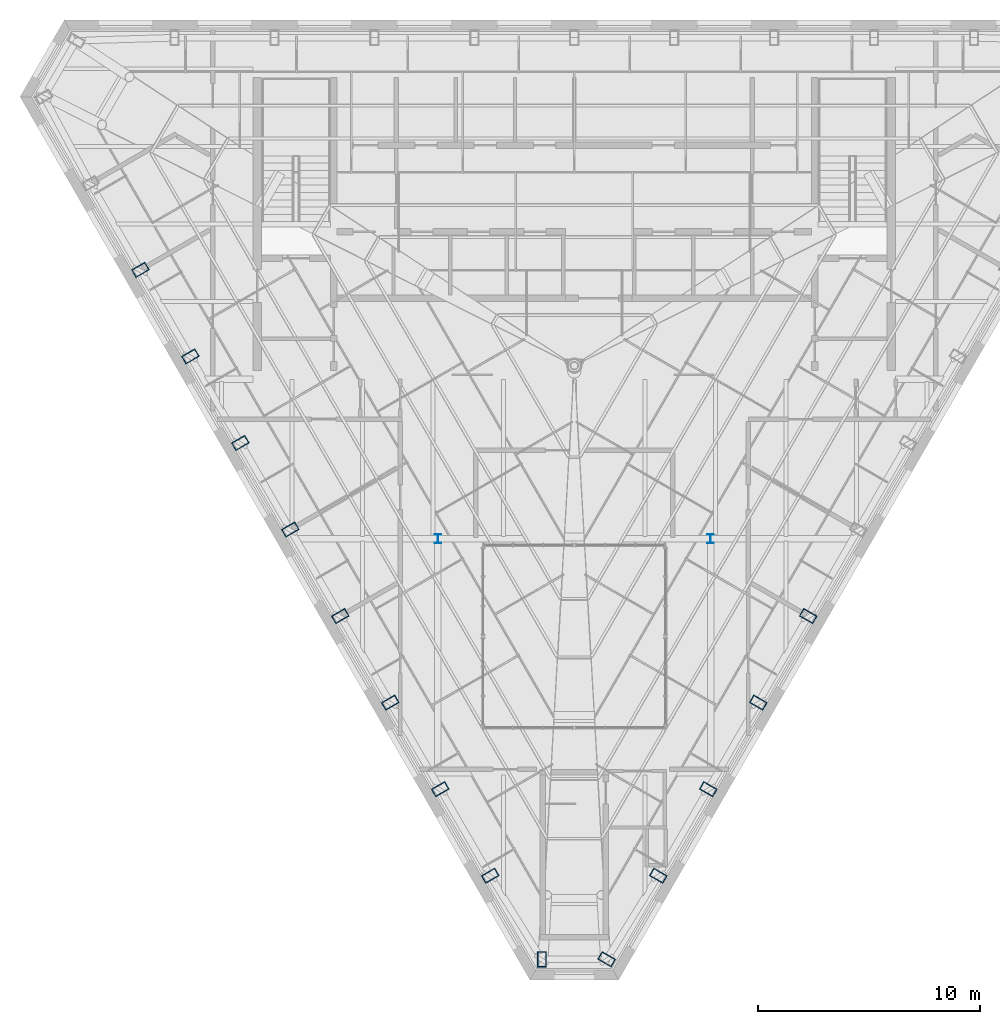
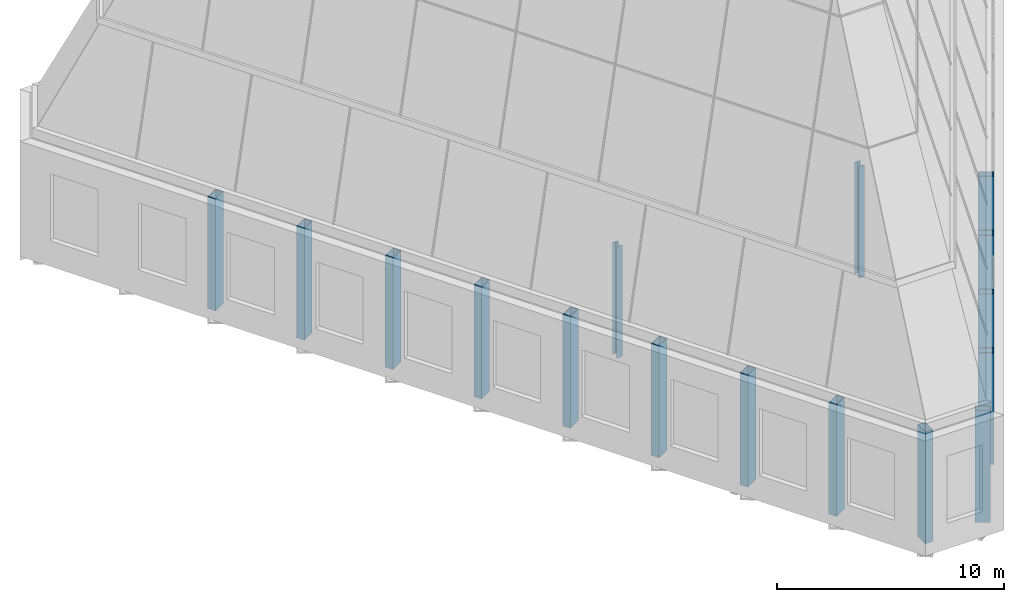
# One storey, part 1 of 36: 16 columns.
"""IFC4 building model written with IfcOpenShell, lengths in metres."""

from ifc_helpers import new_model, si_unit, direction, frame, origin, origin_2d, place, context, subcontext, project, spatial, hollow_rectangle, i_section, extrude, material, material_profile, profile_set, type_object, element, save


model = new_model("IFC4")

# Units and contexts
model_context = context("Model", 3, precision=1e-05, world=origin(), true_north=direction((0.0, 1.0)))
body_context = subcontext(model_context, "Body", "Model", "MODEL_VIEW")
ifc_project = project(units=[si_unit("LENGTHUNIT", "METRE"), si_unit("AREAUNIT", "SQUARE_METRE"), si_unit("VOLUMEUNIT", "CUBIC_METRE"), si_unit("PLANEANGLEUNIT", "RADIAN"), si_unit("MASSUNIT", "GRAM", prefix="KILO")], contexts=[model_context])

# Site, building, storey
site_placement = place(None, origin())
site = spatial("IfcSite", under=ifc_project, at=site_placement, CompositionType="ELEMENT")
building_placement = place(site_placement, origin())
building = spatial("IfcBuilding", under=site, at=building_placement, Name="Njiva Tower", CompositionType="ELEMENT")
storey_placement = place(building_placement, frame((0.0, 0.0, 337.8)))
storey = spatial("IfcBuildingStorey", under=building, at=storey_placement, Name="L77", CompositionType="ELEMENT", Elevation=337.8)

# Columns
ifc_material = material(Name="Steel S355 J2", Category="steel")
ifc_material_profile_1 = material_profile(ifc_material, hollow_rectangle(XDim=0.4, YDim=0.7, WallThickness=0.03, at=origin_2d()), Name="BOX 700x400x30")
ifc_profile_set_1 = profile_set([ifc_material_profile_1], Name="Steel S355 J2")
column_type_1 = type_object("IfcColumnType", Name="C17 Perimeter tube column BOX 700x400x30", PredefinedType="COLUMN", material=ifc_profile_set_1)
for number, where, z_axis, x_axis, name in (
    (1, (-19.569, 8.928, 0.0), (0.0, 0.0, 1.0), (0.5, -0.866025403784, 0.0), "Perimeter tube column CR-C14"),
    (2, (-17.315, 5.025, 0.0), (0.0, 0.0, 1.0), (0.5, -0.866025403784, 0.0), "Perimeter tube column CR-C15"),
    (3, (-15.061, 1.121, 0.0), (0.0, 0.0, 1.0), (0.5, -0.866025403784, 0.0), "Perimeter tube column CR-C16"),
    (4, (-12.807, -2.783, 0.0), (0.0, 0.0, 1.0), (0.5, -0.866025403784, 0.0), "Perimeter tube column CR-C17"),
    (5, (-10.553, -6.686, 0.0), (0.0, 0.0, 1.0), (0.5, -0.866025403784, 0.0), "Perimeter tube column CR-C18"),
    (6, (-8.3, -10.59, 0.0), (0.0, 0.0, 1.0), (0.5, -0.866025403784, 0.0), "Perimeter tube column CR-C19"),
    (7, (-6.046, -14.494, 0.0), (0.0, 0.0, 1.0), (0.5, -0.866025403784, 0.0), "Perimeter tube column CR-C20"),
    (8, (-3.792, -18.398, 0.0), (0.0, 0.0, 1.0), (0.5, -0.866025403784, 0.0), "Perimeter tube column CR-C21"),
    (9, (-1.461, -22.168, 0.0), (0.0, 0.0, 1.0), (1.0, 0.0, 0.0), "Perimeter tube column CR-C22"),
    (10, (1.461, -22.168, 0.0), (0.0, 0.0, 1.0), (0.5, 0.866025403784, 0.0), "Perimeter tube column CR-C23"),
    (11, (3.792, -18.398, 0.0), (0.0, 0.0, 1.0), (0.5, 0.866025403784, 0.0), "Perimeter tube column CR-C24"),
    (12, (6.046, -14.494, 0.0), (0.0, 0.0, 1.0), (0.5, 0.866025403784, 0.0), "Perimeter tube column CR-C25"),
    (13, (8.3, -10.59, 0.0), (0.0, 0.0, 1.0), (0.5, 0.866025403784, 0.0), "Perimeter tube column CR-C26"),
    (14, (10.553, -6.686, 0.0), (0.0, 0.0, 1.0), (0.5, 0.866025403784, 0.0), "Perimeter tube column CR-C27"),
):
    element("IfcColumn", number, at=place(storey_placement, frame(where, z_axis=z_axis, x_axis=x_axis)), inside=storey, type_object=column_type_1, Name=name, PredefinedType="COLUMN", context=body_context, shape_type="SweptSolid", body=[
        extrude(hollow_rectangle(XDim=0.4, YDim=0.7, WallThickness=0.03, at=origin_2d()), origin(), (0.0, 0.0, 1.0), 6.0),
    ])
ifc_material_profile_2 = material_profile(ifc_material, i_section(OverallWidth=0.3, OverallDepth=0.39, WebThickness=0.011, FlangeThickness=0.019, at=origin_2d()), Name="HEA 400")
ifc_profile_set_2 = profile_set([ifc_material_profile_2], Name="Steel S355 J2")
column_type_2 = type_object("IfcColumnType", Name="C18 Interior column HEA 400", PredefinedType="COLUMN", material=ifc_profile_set_2)
for number, where, z_axis, x_axis, name in (
    (15, (6.15, -3.2, 0.0), (0.0, 0.0, 1.0), (1.0, 0.0, 0.0), "Interior column CR-C34"),
    (16, (-6.15, -3.2, 0.0), (0.0, 0.0, 1.0), (1.0, 0.0, 0.0), "Interior column CR-C35"),
):
    element("IfcColumn", number, at=place(storey_placement, frame(where, z_axis=z_axis, x_axis=x_axis)), inside=storey, type_object=column_type_2, Name=name, PredefinedType="COLUMN", context=body_context, shape_type="SweptSolid", body=[
        extrude(i_section(OverallWidth=0.3, OverallDepth=0.39, WebThickness=0.011, FlangeThickness=0.019, at=origin_2d()), origin(), (0.0, 0.0, 1.0), 6.0),
    ])

save(model, "model.ifc")
